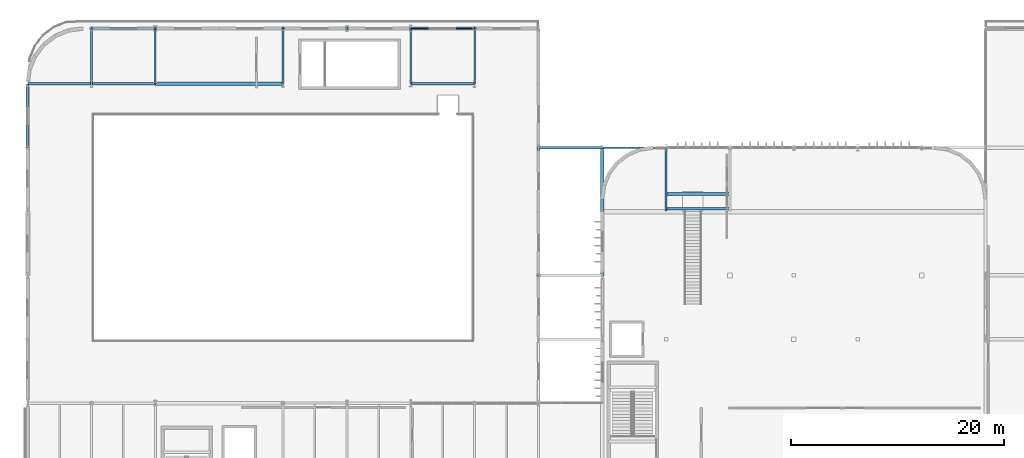
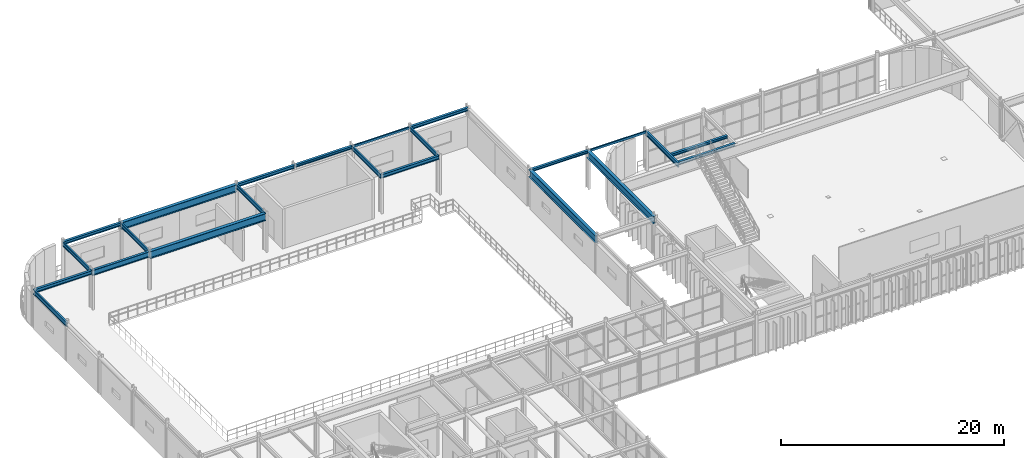
# One storey, part 36 of 84: 23 beams.
"""IFC4 building model written with IfcOpenShell, lengths in metres."""

from ifc_helpers import new_model, si_unit, direction, frame, origin, origin_2d, place, context, subcontext, project, spatial, hollow_rectangle, i_section, extrude, material, material_profile, profile_set, type_object, element, save


model = new_model("IFC4")

# Units and contexts
model_context = context("Model", 3, precision=1e-05, world=origin(), true_north=direction((0.0, 1.0)))
body_context = subcontext(model_context, "Body", "Model", "MODEL_VIEW")
ifc_project = project(units=[si_unit("LENGTHUNIT", "METRE"), si_unit("AREAUNIT", "SQUARE_METRE"), si_unit("VOLUMEUNIT", "CUBIC_METRE"), si_unit("PLANEANGLEUNIT", "RADIAN"), si_unit("MASSUNIT", "GRAM", prefix="KILO")], contexts=[model_context])

# Site, building, storey
site_placement = place(None, origin())
site = spatial("IfcSite", under=ifc_project, at=site_placement, CompositionType="ELEMENT")
building_placement = place(site_placement, origin())
building = spatial("IfcBuilding", under=site, at=building_placement, Name="Varnakota Square Police Headquarters", CompositionType="ELEMENT")
storey_placement = place(building_placement, frame((0.0, 0.0, 13.5)))
storey = spatial("IfcBuildingStorey", under=building, at=storey_placement, Name="L03", CompositionType="ELEMENT", Elevation=13.5)

# Beams
ifc_material = material(Name="Steel IS 2062 Grade 350", Category="steel")
ifc_material_profile_1 = material_profile(ifc_material, i_section(OverallWidth=0.320068359375, OverallDepth=0.800048828125, WebThickness=0.01611328125, FlangeThickness=0.028076171875, at=origin_2d()), Name="BPG 800x320")
ifc_profile_set_1 = profile_set([ifc_material_profile_1], Name="Steel IS 2062 Grade 350")
beam_type_1 = type_object("IfcBeamType", Name="BM-BPG800", PredefinedType="BEAM", material=ifc_profile_set_1)
for number, where, z_axis, x_axis, name in (
    (1, (18.0, 105.0, 3.800048828125), (1.0, 0.0, 0.0), (0.0, 1.0, 0.0), "BMG-L03-2574"),
    (2, (18.0, 110.199951171875, 3.800048828125), (1.0, 0.0, 0.0), (0.0, 1.0, 0.0), "BMG-L03-2582"),
    (3, (54.0, 87.0, 3.800048828125), (0.0, 1.0, 0.0), (-1.0, 0.0, 0.0), "BMG-L03-2668"),
    (4, (60.0, 87.0, 3.800048828125), (0.0, 1.0, 0.0), (-1.0, 0.0, 0.0), "BMG-L03-2672"),
):
    element("IfcBeam", number, at=place(storey_placement, frame(where, z_axis=z_axis, x_axis=x_axis)), inside=storey, type_object=beam_type_1, Name=name, PredefinedType="BEAM", context=body_context, shape_type="SweptSolid", body=[
        extrude(i_section(OverallWidth=0.320068359375, OverallDepth=0.800048828125, WebThickness=0.01611328125, FlangeThickness=0.028076171875, at=origin_2d()), origin(), (0.0, 0.0, 1.0), 12.0),
    ])
ifc_material_profile_2 = material_profile(ifc_material, hollow_rectangle(XDim=0.14990234375, YDim=0.25, WallThickness=0.010009765625, InnerFilletRadius=0.010009765625, OuterFilletRadius=0.02001953125, at=origin_2d()), Name="RHS 250x150x10")
ifc_profile_set_2 = profile_set([ifc_material_profile_2], Name="Steel IS 2062 Grade 350")
beam_type_2 = type_object("IfcBeamType", Name="BM-CBEAM-RHS250", PredefinedType="BEAM", material=ifc_profile_set_2)
for number, where, z_axis, x_axis, name in (
    (5, (60.0, 99.0, 4.074951171875), (1.0, 0.0, 0.0), (0.0, 1.0, 0.0), "BMG-L03-2559"),
    (6, (42.0, 110.199951171875, 4.074951171875), (1.0, 0.0, 0.0), (0.0, 1.0, 0.0), "BMG-L03-2585"),
):
    element("IfcBeam", number, at=place(storey_placement, frame(where, z_axis=z_axis, x_axis=x_axis)), inside=storey, type_object=beam_type_2, Name=name, PredefinedType="BEAM", context=body_context, shape_type="SweptSolid", body=[
        extrude(hollow_rectangle(XDim=0.14990234375, YDim=0.25, WallThickness=0.010009765625, InnerFilletRadius=0.010009765625, OuterFilletRadius=0.02001953125, at=origin_2d()), origin(), (0.0, 0.0, 1.0), 6.0),
    ])
ifc_material_profile_3 = material_profile(ifc_material, i_section(OverallWidth=0.25, OverallDepth=0.300048828125, WebThickness=0.009521484375, FlangeThickness=0.010498046875, FilletRadius=0.011962890625, at=origin_2d()), Name="ISHB 300")
ifc_profile_set_3 = profile_set([ifc_material_profile_3], Name="Steel IS 2062 Grade 350")
beam_type_3 = type_object("IfcBeamType", Name="BM-ISHB300", PredefinedType="BEAM", material=ifc_profile_set_3)
for number, where, z_axis, x_axis, name in (
    (7, (54.0, 99.0, 4.050048828125), (1.0, 0.0, 0.0), (0.0, 1.0, 0.0), "BMG-L03-2558"),
    (8, (36.0, 110.199951171875, 4.050048828125), (1.0, 0.0, 0.0), (0.0, 1.0, 0.0), "BMG-L03-2584"),
):
    element("IfcBeam", number, at=place(storey_placement, frame(where, z_axis=z_axis, x_axis=x_axis)), inside=storey, type_object=beam_type_3, Name=name, PredefinedType="BEAM", context=body_context, shape_type="SweptSolid", body=[
        extrude(i_section(OverallWidth=0.25, OverallDepth=0.300048828125, WebThickness=0.009521484375, FlangeThickness=0.010498046875, FilletRadius=0.011962890625, at=origin_2d()), origin(), (0.0, 0.0, 1.0), 6.0),
    ])
for number, where, z_axis, x_axis, name in (
    (9, (66.050048828125, 93.25, 4.14990234375), (1.0, 0.0, 0.0), (0.0, 1.0, 0.0), "Crisis stair landing front trimmer L03"),
    (10, (66.050048828125, 94.64990234375, 4.14990234375), (1.0, 0.0, 0.0), (0.0, 1.0, 0.0), "Crisis stair landing rear trimmer L03"),
):
    element("IfcBeam", number, at=place(storey_placement, frame(where, z_axis=z_axis, x_axis=x_axis)), inside=storey, type_object=beam_type_3, Name=name, PredefinedType="BEAM", context=body_context, shape_type="SweptSolid", body=[
        extrude(i_section(OverallWidth=0.25, OverallDepth=0.300048828125, WebThickness=0.009521484375, FlangeThickness=0.010498046875, FilletRadius=0.011962890625, at=origin_2d()), origin(), (0.0, 0.0, 1.0), 5.89990234375),
    ])
ifc_material_profile_4 = material_profile(ifc_material, i_section(OverallWidth=0.25, OverallDepth=0.35009765625, WebThickness=0.010009765625, FlangeThickness=0.01171875, FilletRadius=0.011962890625, at=origin_2d()), Name="ISHB 350")
ifc_profile_set_4 = profile_set([ifc_material_profile_4], Name="Steel IS 2062 Grade 350")
beam_type_4 = type_object("IfcBeamType", Name="BM-ISHB350", PredefinedType="BEAM", material=ifc_profile_set_4)
for number, where, z_axis, x_axis, name in (
    (11, (12.0, 110.199951171875, 4.02490234375), (1.0, 0.0, 0.0), (0.0, 1.0, 0.0), "BMG-L03-2581"),
    (12, (30.0, 110.199951171875, 4.02490234375), (1.0, 0.0, 0.0), (0.0, 1.0, 0.0), "BMG-L03-2583"),
    (13, (48.0, 110.199951171875, 4.02490234375), (1.0, 0.0, 0.0), (0.0, 1.0, 0.0), "BMG-L03-2586"),
):
    element("IfcBeam", number, at=place(storey_placement, frame(where, z_axis=z_axis, x_axis=x_axis)), inside=storey, type_object=beam_type_4, Name=name, PredefinedType="BEAM", context=body_context, shape_type="SweptSolid", body=[
        extrude(i_section(OverallWidth=0.25, OverallDepth=0.35009765625, WebThickness=0.010009765625, FlangeThickness=0.01171875, FilletRadius=0.011962890625, at=origin_2d()), origin(), (0.0, 0.0, 1.0), 6.0),
    ])
ifc_material_profile_5 = material_profile(ifc_material, i_section(OverallWidth=0.25, OverallDepth=0.39990234375, WebThickness=0.010498046875, FlangeThickness=0.0126953125, FilletRadius=0.013916015625, at=origin_2d()), Name="ISHB 400")
ifc_profile_set_5 = profile_set([ifc_material_profile_5], Name="Steel IS 2062 Grade 350")
beam_type_5 = type_object("IfcBeamType", Name="BM-ISHB400", PredefinedType="BEAM", material=ifc_profile_set_5)
for number, where, z_axis, x_axis, name in (
    (14, (6.0, 105.0, 4.0), (1.0, 0.0, 0.0), (0.0, 1.0, 0.0), "BMG-L03-2572"),
    (15, (42.0, 105.0, 4.0), (1.0, 0.0, 0.0), (0.0, 1.0, 0.0), "BMG-L03-2575"),
):
    element("IfcBeam", number, at=place(storey_placement, frame(where, z_axis=z_axis, x_axis=x_axis)), inside=storey, type_object=beam_type_5, Name=name, PredefinedType="BEAM", context=body_context, shape_type="SweptSolid", body=[
        extrude(i_section(OverallWidth=0.25, OverallDepth=0.39990234375, WebThickness=0.010498046875, FlangeThickness=0.0126953125, FilletRadius=0.013916015625, at=origin_2d()), origin(), (0.0, 0.0, 1.0), 6.0),
    ])
ifc_material_profile_6 = material_profile(ifc_material, i_section(OverallWidth=0.14990234375, OverallDepth=0.449951171875, WebThickness=0.009521484375, FlangeThickness=0.017333984375, FilletRadius=0.014892578125, at=origin_2d()), Name="ISMB 450")
ifc_profile_set_6 = profile_set([ifc_material_profile_6], Name="Steel IS 2062 Grade 350")
beam_type_6 = type_object("IfcBeamType", Name="BM-ISMB450", PredefinedType="BEAM", material=ifc_profile_set_6)
for number, where, z_axis, x_axis, name in (
    (16, (12.0, 105.0, 3.97509765625), (0.0, 1.0, 0.0), (-1.0, 0.0, 0.0), "BMG-L03-2618"),
    (17, (18.0, 105.0, 3.97509765625), (0.0, 1.0, 0.0), (-1.0, 0.0, 0.0), "BMG-L03-2628"),
    (18, (30.0, 105.0, 3.97509765625), (0.0, 1.0, 0.0), (-1.0, 0.0, 0.0), "BMG-L03-2643"),
    (19, (42.0, 105.0, 3.97509765625), (0.0, 1.0, 0.0), (-1.0, 0.0, 0.0), "BMG-L03-2662"),
    (20, (48.0, 105.0, 3.97509765625), (0.0, 1.0, 0.0), (-1.0, 0.0, 0.0), "BMG-L03-2664"),
):
    element("IfcBeam", number, at=place(storey_placement, frame(where, z_axis=z_axis, x_axis=x_axis)), inside=storey, type_object=beam_type_6, Name=name, PredefinedType="BEAM", context=body_context, shape_type="SweptSolid", body=[
        extrude(i_section(OverallWidth=0.14990234375, OverallDepth=0.449951171875, WebThickness=0.009521484375, FlangeThickness=0.017333984375, FilletRadius=0.014892578125, at=origin_2d()), origin(), (0.0, 0.0, 1.0), 5.199951171875),
    ])
ifc_material_profile_7 = material_profile(ifc_material, i_section(OverallWidth=0.179931640625, OverallDepth=0.5, WebThickness=0.01025390625, FlangeThickness=0.01708984375, FilletRadius=0.01708984375, at=origin_2d()), Name="ISMB 500")
ifc_profile_set_7 = profile_set([ifc_material_profile_7], Name="Steel IS 2062 Grade 350")
beam_type_7 = type_object("IfcBeamType", Name="BM-ISMB500", PredefinedType="BEAM", material=ifc_profile_set_7)
beam_1_placement = place(storey_placement, frame((6.0, 99.0, 3.949951171875), z_axis=(0.0, 1.0, 0.0), x_axis=(-1.0, 0.0, 0.0)))
element("IfcBeam", 21, at=beam_1_placement, inside=storey, type_object=beam_type_7, Name="BMG-L03-2608", PredefinedType="BEAM", context=body_context, shape_type="SweptSolid", body=[
    extrude(i_section(OverallWidth=0.179931640625, OverallDepth=0.5, WebThickness=0.01025390625, FlangeThickness=0.01708984375, FilletRadius=0.01708984375, at=origin_2d()), origin(), (0.0, 0.0, 1.0), 6.0),
])
beam_2_placement = place(storey_placement, frame((66.0, 93.050048828125, 4.050048828125), z_axis=(0.0, 1.0, 0.0), x_axis=(-1.0, 0.0, 0.0)))
element("IfcBeam", 22, at=beam_2_placement, inside=storey, type_object=beam_type_7, Name="Crisis stair trimmer girder W", PredefinedType="BEAM", context=body_context, shape_type="SweptSolid", body=[
    extrude(i_section(OverallWidth=0.179931640625, OverallDepth=0.5, WebThickness=0.01025390625, FlangeThickness=0.01708984375, FilletRadius=0.01708984375, at=origin_2d()), origin(), (0.0, 0.0, 1.0), 5.89990234375),
])
ifc_material_profile_8 = material_profile(ifc_material, i_section(OverallWidth=0.25, OverallDepth=0.60009765625, WebThickness=0.01171875, FlangeThickness=0.023681640625, FilletRadius=0.01708984375, at=origin_2d()), Name="ISWB 600")
ifc_profile_set_8 = profile_set([ifc_material_profile_8], Name="Steel IS 2062 Grade 350")
beam_type_8 = type_object("IfcBeamType", Name="BM-ISWB600", PredefinedType="BEAM", material=ifc_profile_set_8)
beam_3_placement = place(storey_placement, frame((12.0, 105.0, 3.89990234375), z_axis=(1.0, 0.0, 0.0), x_axis=(0.0, 1.0, 0.0)))
element("IfcBeam", 23, at=beam_3_placement, inside=storey, type_object=beam_type_8, Name="BMG-L03-2573", PredefinedType="BEAM", context=body_context, shape_type="SweptSolid", body=[
    extrude(i_section(OverallWidth=0.25, OverallDepth=0.60009765625, WebThickness=0.01171875, FlangeThickness=0.023681640625, FilletRadius=0.01708984375, at=origin_2d()), origin(), (0.0, 0.0, 1.0), 6.0),
])

save(model, "model.ifc")
